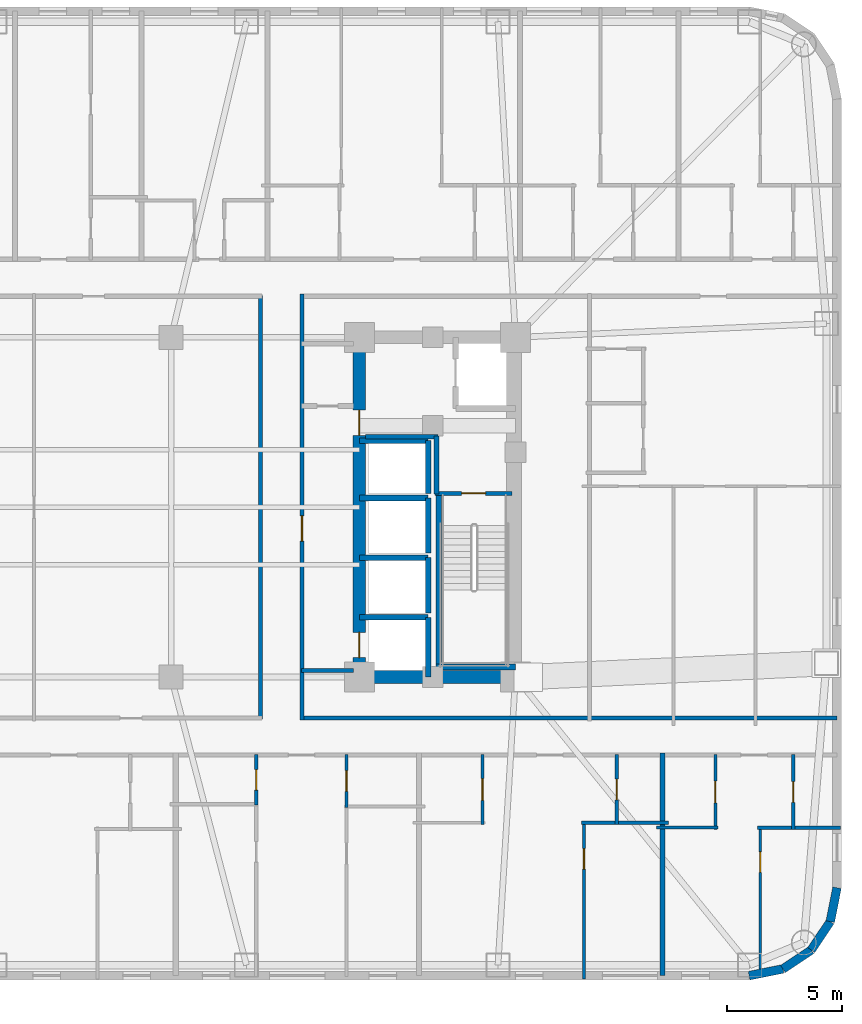
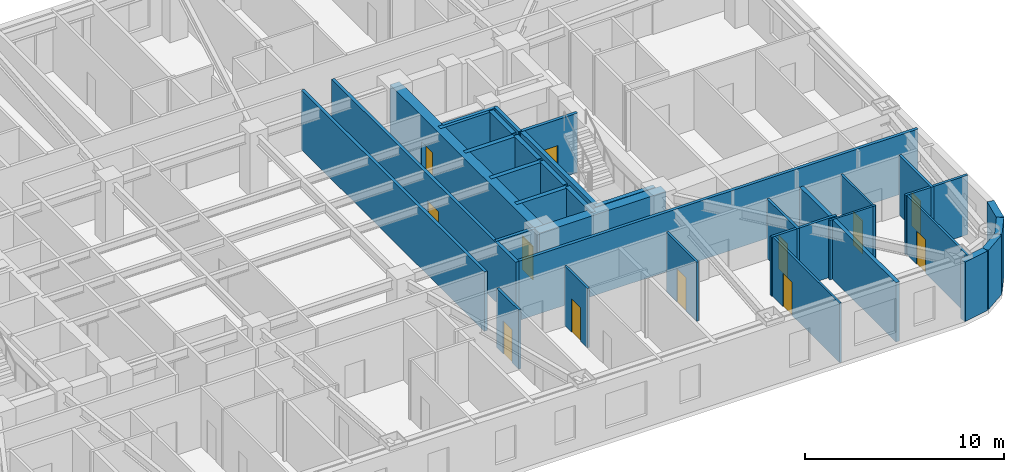
# One storey, part 6 of 12: 35 walls, 12 doors, 12 openings.
"""IFC4 building model written with IfcOpenShell, lengths in metres."""

from ifc_helpers import new_model, si_unit, direction, frame, frame_2d, origin, place, context, subcontext, project, spatial, rectangle, extrude, material, layer, layer_set, type_object, element, fill, save


model = new_model("IFC4")

# Units and contexts
model_context = context("Model", 3, precision=1e-05, world=origin(), true_north=direction((0.0, 1.0)))
body_context = subcontext(model_context, "Body", "Model", "MODEL_VIEW")
ifc_project = project(units=[si_unit("LENGTHUNIT", "METRE"), si_unit("AREAUNIT", "SQUARE_METRE"), si_unit("VOLUMEUNIT", "CUBIC_METRE"), si_unit("PLANEANGLEUNIT", "RADIAN"), si_unit("MASSUNIT", "GRAM", prefix="KILO")], contexts=[model_context])

# Site, building, storey
site_placement = place(None, origin())
site = spatial("IfcSite", under=ifc_project, at=site_placement, CompositionType="ELEMENT")
building_placement = place(site_placement, origin())
building = spatial("IfcBuilding", under=site, at=building_placement, Name="Voryun Gate Residences", CompositionType="ELEMENT")
storey_placement = place(building_placement, frame((0.0, 0.0, 132.60009765625)))
storey = spatial("IfcBuildingStorey", under=building, at=storey_placement, Name="L32", CompositionType="ELEMENT", Elevation=132.60009765625)

# Wall
ifc_material_1 = material(Name="Concrete C60/75", Category="concrete")
ifc_layer_1 = layer(ifc_material_1, 0.550048828125, Name="CW_CORE_550")
ifc_layer_set_1 = layer_set([ifc_layer_1], Name="Concrete C60/75")
wall_type_1 = type_object("IfcWallType", Name="CW_CORE_550", PredefinedType="SHEAR", material=ifc_layer_set_1)
wall_1_placement = place(storey_placement, frame((12.125, -7.39990234375, 0.0), z_axis=(0.0, 0.0, 1.0), x_axis=(1.0, 0.0, 0.0)))
element("IfcWall", 1, at=wall_1_placement, inside=storey, type_object=wall_type_1, Name="L32 Core shear wall CW-L32-ES", PredefinedType="SHEAR", context=body_context, shape_type="SweptSolid", body=[
    extrude(rectangle(XDim=7.35009765625, YDim=0.550048828125, at=frame_2d((3.675048828125, 0.0))), origin(), (0.0, 0.0, 1.0), 3.64990234375),
])

# Wall, openings, doors
wall_2_placement = place(storey_placement, frame((12.39990234375, -7.39990234375, 0.0), z_axis=(0.0, 0.0, 1.0), x_axis=(0.0, 1.0, 0.0)))
wall_2 = element("IfcWall", 2, at=wall_2_placement, inside=storey, type_object=wall_type_1, Name="L32 Core shear wall CW-L32-EW", PredefinedType="SHEAR", context=body_context, shape_type="SweptSolid", body=[
    extrude(rectangle(XDim=14.7998046875, YDim=0.550048828125, at=frame_2d((7.39990234375, 0.0))), origin(), (0.0, 0.0, 1.0), 3.64990234375),
])
opening_1_placement = place(wall_2_placement, frame((0.85009765625, 0.0, 0.0)))
opening_1 = element("IfcOpeningElement", 3, at=opening_1_placement, cuts=wall_2, Name="Opening LD2", PredefinedType="OPENING", context=body_context, shape_type="SweptSolid", body=[
    extrude(rectangle(XDim=1.10009765625, YDim=2.050048828125, at=frame_2d((0.550048828125, 1.02490234375))), frame((0.0, 0.284912109375, 0.0), z_axis=(0.0, -1.0, 0.0), x_axis=(1.0, 0.0, 0.0)), (0.0, 0.0, 1.0), 0.570068359375),
])
opening_2_placement = place(wall_2_placement, frame((10.530029296875, 0.0, 0.0)))
opening_2 = element("IfcOpeningElement", 4, at=opening_2_placement, cuts=wall_2, Name="Opening D-FD60-2", PredefinedType="OPENING", context=body_context, shape_type="SweptSolid", body=[
    extrude(rectangle(XDim=1.10009765625, YDim=2.050048828125, at=frame_2d((0.550048828125, 1.02490234375))), frame((0.0, 0.284912109375, 0.0), z_axis=(0.0, -1.0, 0.0), x_axis=(1.0, 0.0, 0.0)), (0.0, 0.0, 1.0), 0.570068359375),
])
ifc_material_2 = material(Name="Painted steel fire door", Category="steel")
door_type_1 = type_object("IfcDoorType", Name="DR_FD60_FFLOB_1100", OperationType="NOTDEFINED", PredefinedType="DOOR", material=ifc_material_2)
door_1_placement = place(opening_2_placement, origin())
door_1 = element("IfcDoor", 5, at=door_1_placement, inside=storey, type_object=door_type_1, Name="Door DR-L32-CLOB-E", OperationType="SINGLE_SWING_RIGHT", OverallHeight=2.050048828125, OverallWidth=1.10009765625, PredefinedType="DOOR", context=body_context, shape_type="SweptSolid", body=[
    extrude(rectangle(XDim=1.10009765625, YDim=2.050048828125, at=frame_2d((0.550048828125, 1.02490234375))), frame((0.0, 0.02490234375, 0.0), z_axis=(0.0, -1.0, 0.0), x_axis=(1.0, 0.0, 0.0)), (0.0, 0.0, 1.0), 0.050048828125),
])
fill(opening_2, door_1)
ifc_material_3 = material(Name="Anodised aluminium", Category="aluminium")
door_type_2 = type_object("IfcDoorType", Name="DR_LD_PASS_1100", OperationType="NOTDEFINED", PredefinedType="DOOR", material=ifc_material_3)
door_2_placement = place(opening_1_placement, origin())
door_2 = element("IfcDoor", 6, at=door_2_placement, inside=storey, type_object=door_type_2, Name="Lift EL-P3 sliding landing door L32", OperationType="SLIDING_TO_LEFT", OverallHeight=2.050048828125, OverallWidth=1.10009765625, PredefinedType="DOOR", context=body_context, shape_type="SweptSolid", body=[
    extrude(rectangle(XDim=1.10009765625, YDim=2.050048828125, at=frame_2d((0.550048828125, 1.02490234375))), frame((0.0, 0.02490234375, 0.0), z_axis=(0.0, -1.0, 0.0), x_axis=(1.0, 0.0, 0.0)), (0.0, 0.0, 1.0), 0.050048828125),
])
fill(opening_1, door_2)

# Wall, opening, door
ifc_material_4 = material(Name="Gypsum acoustic fireboard")
ifc_layer_2 = layer(ifc_material_4, 0.179931640625, Name="W_CORR_RATED_180")
ifc_layer_set_2 = layer_set([ifc_layer_2], Name="Gypsum acoustic fireboard")
wall_type_2 = type_object("IfcWallType", Name="W_CORR_RATED_180", PredefinedType="PARTITIONING", material=ifc_layer_set_2)
wall_3_placement = place(storey_placement, frame((15.699951171875, 0.60009765625, 0.0), z_axis=(0.0, 0.0, 1.0), x_axis=(1.0, 0.0, 0.0)))
wall_3 = element("IfcWall", 7, at=wall_3_placement, inside=storey, type_object=wall_type_2, Name="Partition wall WP-L32-STV-E", PredefinedType="PARTITIONING", context=body_context, shape_type="SweptSolid", body=[
    extrude(rectangle(XDim=3.360107421875, YDim=0.179931640625, at=frame_2d((1.68017578125, 0.0))), origin(), (0.0, 0.0, 1.0), 3.64990234375),
])
opening_3_placement = place(wall_3_placement, frame((1.155029296875, 0.0, 0.0)))
opening_3 = element("IfcOpeningElement", 8, at=opening_3_placement, cuts=wall_3, Name="Opening D-FD60-1", PredefinedType="OPENING", context=body_context, shape_type="SweptSolid", body=[
    extrude(rectangle(XDim=1.050048828125, YDim=2.050048828125, at=frame_2d((0.52490234375, 1.02490234375))), frame((0.0, 0.099853515625, 0.0), z_axis=(0.0, -1.0, 0.0), x_axis=(1.0, 0.0, 0.0)), (0.0, 0.0, 1.0), 0.199951171875),
])
ifc_material_5 = material(Name="Painted steel fire door", Category="steel")
door_type_3 = type_object("IfcDoorType", Name="DR_FD60_STAIR_1050", OperationType="NOTDEFINED", PredefinedType="DOOR", material=ifc_material_5)
door_3_placement = place(opening_3_placement, origin())
door_3 = element("IfcDoor", 9, at=door_3_placement, inside=storey, type_object=door_type_3, Name="Door DR-L32-ST-E", OperationType="SINGLE_SWING_RIGHT", OverallHeight=2.050048828125, OverallWidth=1.050048828125, PredefinedType="DOOR", context=body_context, shape_type="SweptSolid", body=[
    extrude(rectangle(XDim=1.050048828125, YDim=2.050048828125, at=frame_2d((0.52490234375, 1.02490234375))), frame((0.0, 0.02490234375, 0.0), z_axis=(0.0, -1.0, 0.0), x_axis=(1.0, 0.0, 0.0)), (0.0, 0.0, 1.0), 0.050048828125),
])
fill(opening_3, door_3)

# Wall
wall_4_placement = place(storey_placement, frame((9.8798828125, -7.1201171875, 0.0), z_axis=(0.0, 0.0, 1.0), x_axis=(1.0, 0.0, 0.0)))
element("IfcWall", 10, at=wall_4_placement, inside=storey, type_object=wall_type_2, Name="Partition wall WP-L32-PLBS-E", PredefinedType="PARTITIONING", context=body_context, shape_type="SweptSolid", body=[
    extrude(rectangle(XDim=2.27001953125, YDim=0.179931640625, at=frame_2d((1.135009765625, 0.0))), origin(), (0.0, 0.0, 1.0), 3.64990234375),
])

# Wall, opening, door
wall_5_placement = place(storey_placement, frame((9.89990234375, -9.280029296875, 0.0), z_axis=(0.0, 0.0, 1.0), x_axis=(0.0, 1.0, 0.0)))
wall_5 = element("IfcWall", 11, at=wall_5_placement, inside=storey, type_object=wall_type_2, Name="Partition wall WP-L32-PLBE-FULL", PredefinedType="PARTITIONING", context=body_context, shape_type="SweptSolid", body=[
    extrude(rectangle(XDim=18.56005859375, YDim=0.179931640625, at=frame_2d((9.280029296875, 0.0))), origin(), (0.0, 0.0, 1.0), 3.64990234375),
])
opening_4_placement = place(wall_5_placement, frame((7.802001953125, 0.0, 0.0)))
opening_4 = element("IfcOpeningElement", 12, at=opening_4_placement, cuts=wall_5, Name="Opening D-FD60-2", PredefinedType="OPENING", context=body_context, shape_type="SweptSolid", body=[
    extrude(rectangle(XDim=1.10009765625, YDim=2.050048828125, at=frame_2d((0.550048828125, 1.02490234375))), frame((0.0, 0.099853515625, 0.0), z_axis=(0.0, -1.0, 0.0), x_axis=(1.0, 0.0, 0.0)), (0.0, 0.0, 1.0), 0.199951171875),
])
door_4_placement = place(opening_4_placement, origin())
door_4 = element("IfcDoor", 13, at=door_4_placement, inside=storey, type_object=door_type_1, Name="Door DR-L32-PLBE-COR", OperationType="SINGLE_SWING_RIGHT", OverallHeight=2.050048828125, OverallWidth=1.10009765625, PredefinedType="DOOR", context=body_context, shape_type="SweptSolid", body=[
    extrude(rectangle(XDim=1.10009765625, YDim=2.050048828125, at=frame_2d((0.550048828125, 1.02490234375))), frame((0.0, 0.02490234375, 0.0), z_axis=(0.0, -1.0, 0.0), x_axis=(1.0, 0.0, 0.0)), (0.0, 0.0, 1.0), 0.050048828125),
])
fill(opening_4, door_4)

# Walls
wall_6_placement = place(storey_placement, frame((9.8798828125, -9.18994140625, 0.0), z_axis=(0.0, 0.0, 1.0), x_axis=(1.0, 0.0, 0.0)))
element("IfcWall", 14, at=wall_6_placement, inside=storey, type_object=wall_type_2, Name="Partition wall WP-L32-CWING-ES", PredefinedType="PARTITIONING", context=body_context, shape_type="SweptSolid", body=[
    extrude(rectangle(XDim=23.330078125, YDim=0.179931640625, at=frame_2d((11.6650390625, 0.0))), origin(), (0.0, 0.0, 1.0), 3.64990234375),
])
wall_7_placement = place(storey_placement, frame((8.10009765625, -9.22998046875, 0.0), z_axis=(0.0, 0.0, 1.0), x_axis=(0.0, 1.0, 0.0)))
element("IfcWall", 15, at=wall_7_placement, inside=storey, type_object=wall_type_2, Name="Partition wall WP-L32-Z1E", PredefinedType="PARTITIONING", context=body_context, shape_type="SweptSolid", body=[
    extrude(rectangle(XDim=18.4599609375, YDim=0.179931640625, at=frame_2d((9.22998046875, 0.0))), origin(), (0.0, 0.0, 1.0), 3.64990234375),
])
ifc_material_6 = material(Name="Granite masonry", Category="masonry")
ifc_layer_3 = layer(ifc_material_6, 0.3798828125, Name="W_EXT_GRANITE_380")
ifc_layer_set_3 = layer_set([ifc_layer_3], Name="Granite masonry")
wall_type_3 = type_object("IfcWallType", Name="W_EXT_GRANITE_380", PredefinedType="ELEMENTEDWALL", material=ifc_layer_set_3)
wall_8_placement = place(storey_placement, frame((33.2099609375, -16.581298828125, 0.0), z_axis=(0.0, 0.0, 1.0), x_axis=(-0.195086038585, -0.980786132421, 0.0)))
element("IfcWall", 16, at=wall_8_placement, inside=storey, type_object=wall_type_3, Name="Exterior wall WEXT-L32-17", PredefinedType="ELEMENTEDWALL", context=body_context, shape_type="SweptSolid", body=[
    extrude(rectangle(XDim=1.504150390625, YDim=0.3798828125, at=frame_2d((0.751953125, 0.0))), origin(), (0.0, 0.0, 1.0), 3.64990234375),
])
wall_9_placement = place(storey_placement, frame((32.91650390625, -18.056640625, 0.0), z_axis=(0.0, 0.0, 1.0), x_axis=(-0.555610286119, -0.831442848281, 0.0)))
element("IfcWall", 17, at=wall_9_placement, inside=storey, type_object=wall_type_3, Name="Exterior wall WEXT-L32-18", PredefinedType="ELEMENTEDWALL", context=body_context, shape_type="SweptSolid", body=[
    extrude(rectangle(XDim=1.485107421875, YDim=0.3798828125, at=frame_2d((0.74267578125, 0.0))), origin(), (0.0, 0.0, 1.0), 3.64990234375),
])
wall_10_placement = place(storey_placement, frame((32.09130859375, -19.29150390625, 0.0), z_axis=(0.0, 0.0, 1.0), x_axis=(-0.831468045563, -0.555572577804, 0.0)))
element("IfcWall", 18, at=wall_10_placement, inside=storey, type_object=wall_type_3, Name="Exterior wall WEXT-L32-19", PredefinedType="ELEMENTEDWALL", context=body_context, shape_type="SweptSolid", body=[
    extrude(rectangle(XDim=1.48486328125, YDim=0.3798828125, at=frame_2d((0.742431640625, 0.0))), origin(), (0.0, 0.0, 1.0), 3.64990234375),
])
wall_11_placement = place(storey_placement, frame((30.856689453125, -20.116455078125, 0.0), z_axis=(0.0, 0.0, 1.0), x_axis=(-0.980786132421, -0.195086038585, 0.0)))
element("IfcWall", 19, at=wall_11_placement, inside=storey, type_object=wall_type_3, Name="Exterior wall WEXT-L32-20", PredefinedType="ELEMENTEDWALL", context=body_context, shape_type="SweptSolid", body=[
    extrude(rectangle(XDim=1.504150390625, YDim=0.3798828125, at=frame_2d((0.751953125, 0.0))), origin(), (0.0, 0.0, 1.0), 3.64990234375),
])
ifc_material_7 = material(Name="Concrete C40/50", Category="concrete")
ifc_layer_4 = layer(ifc_material_7, 0.199951171875, Name="W_FF_LOBBY_200")
ifc_layer_set_4 = layer_set([ifc_layer_4], Name="Concrete C40/50")
wall_type_4 = type_object("IfcWallType", Name="W_FF_LOBBY_200", PredefinedType="PARTITIONING", material=ifc_layer_set_4)
wall_12_placement = place(storey_placement, frame((15.760009765625, 0.580078125, 0.0), z_axis=(0.0, 0.0, 1.0), x_axis=(0.0, 1.0, 0.0)))
element("IfcWall", 20, at=wall_12_placement, inside=storey, type_object=wall_type_4, Name="Partition wall WP-L32-FFP0-E", PredefinedType="PARTITIONING", context=body_context, shape_type="SweptSolid", body=[
    extrude(rectangle(XDim=2.52001953125, YDim=0.199951171875, at=frame_2d((1.260009765625, 0.0))), origin(), (0.0, 0.0, 1.0), 3.64990234375),
])
wall_13_placement = place(storey_placement, frame((12.659912109375, 3.06005859375, 0.0), z_axis=(0.0, 0.0, 1.0), x_axis=(1.0, 0.0, 0.0)))
element("IfcWall", 21, at=wall_13_placement, inside=storey, type_object=wall_type_4, Name="Partition wall WP-L32-FFPS-E", PredefinedType="PARTITIONING", context=body_context, shape_type="SweptSolid", body=[
    extrude(rectangle(XDim=3.16015625, YDim=0.199951171875, at=frame_2d((1.580078125, 0.0))), origin(), (0.0, 0.0, 1.0), 3.64990234375),
])
ifc_material_8 = material(Name="Concrete C40/50", Category="concrete")
ifc_layer_5 = layer(ifc_material_8, 0.219970703125, Name="W_PARTY_ACOUSTIC_220")
ifc_layer_set_5 = layer_set([ifc_layer_5], Name="Concrete C40/50")
wall_type_5 = type_object("IfcWallType", Name="W_PARTY_ACOUSTIC_220", PredefinedType="PARTITIONING", material=ifc_layer_set_5)
wall_14_placement = place(storey_placement, frame((25.60009765625, -20.409912109375, 0.0), z_axis=(0.0, 0.0, 1.0), x_axis=(0.0, 1.0, 0.0)))
element("IfcWall", 22, at=wall_14_placement, inside=storey, type_object=wall_type_5, Name="Partition wall WP-L32-SPTY-6", PredefinedType="PARTITIONING", context=body_context, shape_type="SweptSolid", body=[
    extrude(rectangle(XDim=9.68994140625, YDim=0.219970703125, at=frame_2d((4.844970703125, 0.0))), origin(), (0.0, 0.0, 1.0), 3.64990234375),
])
ifc_material_9 = material(Name="Concrete C50/60", Category="concrete")
ifc_layer_6 = layer(ifc_material_9, 0.25, Name="W_SHAFT_RC250")
ifc_layer_set_6 = layer_set([ifc_layer_6], Name="Concrete C50/60")
wall_type_6 = type_object("IfcWallType", Name="W_SHAFT_RC250", PredefinedType="SOLIDWALL", material=ifc_layer_set_6)
wall_15_placement = place(storey_placement, frame((15.860107421875, -7.0849609375, 0.0), z_axis=(0.0, 0.0, 1.0), x_axis=(0.0, 1.0, 0.0)))
element("IfcWall", 23, at=wall_15_placement, inside=storey, type_object=wall_type_6, Name="L32 Stair shaft structural wall E-STL", PredefinedType="SOLIDWALL", context=body_context, shape_type="SweptSolid", body=[
    extrude(rectangle(XDim=7.68505859375, YDim=0.25, at=frame_2d((3.842529296875, 0.0))), origin(), (0.0, 0.0, 1.0), 3.64990234375),
])
wall_16_placement = place(storey_placement, frame((15.739990234375, -6.965087890625, 0.0), z_axis=(0.0, 0.0, 1.0), x_axis=(1.0, 0.0, 0.0)))
element("IfcWall", 24, at=wall_16_placement, inside=storey, type_object=wall_type_6, Name="L32 Stair shaft structural wall E-STS", PredefinedType="SOLIDWALL", context=body_context, shape_type="SweptSolid", body=[
    extrude(rectangle(XDim=3.4599609375, YDim=0.25, at=frame_2d((1.72998046875, 0.0))), origin(), (0.0, 0.0, 1.0), 3.64990234375),
])
wall_17_placement = place(storey_placement, frame((15.39990234375, -7.39990234375, 0.0), z_axis=(0.0, 0.0, 1.0), x_axis=(0.0, 1.0, 0.0)))
element("IfcWall", 25, at=wall_17_placement, inside=storey, type_object=wall_type_6, Name="Lift shaft wall WSH-L32-EL-P3-E", PredefinedType="SOLIDWALL", context=body_context, shape_type="SweptSolid", body=[
    extrude(rectangle(XDim=2.599853515625, YDim=0.25, at=frame_2d((1.2998046875, 0.0))), origin(), (0.0, 0.0, 1.0), 3.64990234375),
])
wall_18_placement = place(storey_placement, frame((15.39990234375, -4.800048828125, 0.0), z_axis=(0.0, 0.0, 1.0), x_axis=(-1.0, 0.0, 0.0)))
element("IfcWall", 26, at=wall_18_placement, inside=storey, type_object=wall_type_6, Name="Lift shaft wall WSH-L32-EL-P3-N", PredefinedType="SOLIDWALL", context=body_context, shape_type="SweptSolid", body=[
    extrude(rectangle(XDim=3.0, YDim=0.25, at=frame_2d((1.5, 0.0))), origin(), (0.0, 0.0, 1.0), 3.64990234375),
])
wall_19_placement = place(storey_placement, frame((15.39990234375, -4.60009765625, 0.0), z_axis=(0.0, 0.0, 1.0), x_axis=(0.0, 1.0, 0.0)))
element("IfcWall", 27, at=wall_19_placement, inside=storey, type_object=wall_type_6, Name="Lift shaft wall WSH-L32-EL-P5-E", PredefinedType="SOLIDWALL", context=body_context, shape_type="SweptSolid", body=[
    extrude(rectangle(XDim=2.400146484375, YDim=0.25, at=frame_2d((1.2001953125, 0.0))), origin(), (0.0, 0.0, 1.0), 3.64990234375),
])
wall_20_placement = place(storey_placement, frame((15.39990234375, -2.199951171875, 0.0), z_axis=(0.0, 0.0, 1.0), x_axis=(-1.0, 0.0, 0.0)))
element("IfcWall", 28, at=wall_20_placement, inside=storey, type_object=wall_type_6, Name="Lift shaft wall WSH-L32-EL-P5-N", PredefinedType="SOLIDWALL", context=body_context, shape_type="SweptSolid", body=[
    extrude(rectangle(XDim=3.0, YDim=0.25, at=frame_2d((1.5, 0.0))), origin(), (0.0, 0.0, 1.0), 3.64990234375),
])
wall_21_placement = place(storey_placement, frame((15.39990234375, -2.0, 0.0), z_axis=(0.0, 0.0, 1.0), x_axis=(0.0, 1.0, 0.0)))
element("IfcWall", 29, at=wall_21_placement, inside=storey, type_object=wall_type_6, Name="Lift shaft wall WSH-L32-EL-P6-E", PredefinedType="SOLIDWALL", context=body_context, shape_type="SweptSolid", body=[
    extrude(rectangle(XDim=2.39990234375, YDim=0.25, at=frame_2d((1.199951171875, 0.0))), origin(), (0.0, 0.0, 1.0), 3.64990234375),
])
wall_22_placement = place(storey_placement, frame((15.39990234375, 0.39990234375, 0.0), z_axis=(0.0, 0.0, 1.0), x_axis=(-1.0, 0.0, 0.0)))
element("IfcWall", 30, at=wall_22_placement, inside=storey, type_object=wall_type_6, Name="Lift shaft wall WSH-L32-EL-P6-N", PredefinedType="SOLIDWALL", context=body_context, shape_type="SweptSolid", body=[
    extrude(rectangle(XDim=3.0, YDim=0.25, at=frame_2d((1.5, 0.0))), origin(), (0.0, 0.0, 1.0), 3.64990234375),
])
wall_23_placement = place(storey_placement, frame((15.39990234375, 0.60009765625, 0.0), z_axis=(0.0, 0.0, 1.0), x_axis=(0.0, 1.0, 0.0)))
element("IfcWall", 31, at=wall_23_placement, inside=storey, type_object=wall_type_6, Name="Lift shaft wall WSH-L32-EL-P8-E", PredefinedType="SOLIDWALL", context=body_context, shape_type="SweptSolid", body=[
    extrude(rectangle(XDim=2.2998046875, YDim=0.25, at=frame_2d((1.14990234375, 0.0))), origin(), (0.0, 0.0, 1.0), 3.64990234375),
])
wall_24_placement = place(storey_placement, frame((15.39990234375, 2.89990234375, 0.0), z_axis=(0.0, 0.0, 1.0), x_axis=(-1.0, 0.0, 0.0)))
element("IfcWall", 32, at=wall_24_placement, inside=storey, type_object=wall_type_6, Name="Lift shaft wall WSH-L32-EL-P8-N", PredefinedType="SOLIDWALL", context=body_context, shape_type="SweptSolid", body=[
    extrude(rectangle(XDim=3.0, YDim=0.25, at=frame_2d((1.5, 0.0))), origin(), (0.0, 0.0, 1.0), 3.64990234375),
])

# Wall, opening, door
ifc_material_10 = material(Name="Gypsum acoustic partition")
ifc_layer_7 = layer(ifc_material_10, 0.125, Name="W_UNIT_PART_125")
ifc_layer_set_7 = layer_set([ifc_layer_7], Name="Gypsum acoustic partition")
wall_type_7 = type_object("IfcWallType", Name="W_UNIT_PART_125", PredefinedType="PARTITIONING", material=ifc_layer_set_7)
wall_25_placement = place(storey_placement, frame((11.840087890625, -13.080078125, 0.0), z_axis=(0.0, 0.0, 1.0), x_axis=(0.0, 1.0, 0.0)))
wall_25 = element("IfcWall", 33, at=wall_25_placement, inside=storey, type_object=wall_type_7, Name="Partition wall WP-L32-S5-RVX2", PredefinedType="PARTITIONING", context=body_context, shape_type="SweptSolid", body=[
    extrude(rectangle(XDim=2.300048828125, YDim=0.125, at=frame_2d((1.14990234375, 0.0))), origin(), (0.0, 0.0, 1.0), 3.64990234375),
])
opening_5_placement = place(wall_25_placement, frame((0.699951171875, 0.0, 0.0)))
opening_5 = element("IfcOpeningElement", 34, at=opening_5_placement, cuts=wall_25, Name="Opening D-INT-2", PredefinedType="OPENING", context=body_context, shape_type="SweptSolid", body=[
    extrude(rectangle(XDim=0.89990234375, YDim=2.050048828125, at=frame_2d((0.449951171875, 1.02490234375))), frame((0.0, 0.072509765625, 0.0), z_axis=(0.0, -1.0, 0.0), x_axis=(1.0, 0.0, 0.0)), (0.0, 0.0, 1.0), 0.14501953125),
])
ifc_material_11 = material(Name="Architectural oak veneer")
door_type_4 = type_object("IfcDoorType", Name="DR_INT_BATH_900", OperationType="NOTDEFINED", PredefinedType="DOOR", material=ifc_material_11)
door_5_placement = place(opening_5_placement, origin())
door_5 = element("IfcDoor", 35, at=door_5_placement, inside=storey, type_object=door_type_4, Name="Door DR-L32-S5-DK", OperationType="SINGLE_SWING_LEFT", OverallHeight=2.050048828125, OverallWidth=0.89990234375, PredefinedType="DOOR", context=body_context, shape_type="SweptSolid", body=[
    extrude(rectangle(XDim=0.89990234375, YDim=2.050048828125, at=frame_2d((0.449951171875, 1.02490234375))), frame((0.0, 0.02490234375, 0.0), z_axis=(0.0, -1.0, 0.0), x_axis=(1.0, 0.0, 0.0)), (0.0, 0.0, 1.0), 0.050048828125),
])
fill(opening_5, door_5)

wall_26_placement = place(storey_placement, frame((22.18994140625, -20.56005859375, 0.0), z_axis=(0.0, 0.0, 1.0), x_axis=(0.0, 1.0, 0.0)))
wall_26 = element("IfcWall", 36, at=wall_26_placement, inside=storey, type_object=wall_type_7, Name="Partition wall WP-L32-S6-OVR", PredefinedType="PARTITIONING", context=body_context, shape_type="SweptSolid", body=[
    extrude(rectangle(XDim=6.89306640625, YDim=0.125, at=frame_2d((3.446533203125, 0.0))), origin(), (0.0, 0.0, 1.0), 3.64990234375),
])
opening_6_placement = place(wall_26_placement, frame((4.788818359375, 0.0, 0.0)))
opening_6 = element("IfcOpeningElement", 37, at=opening_6_placement, cuts=wall_26, Name="Opening D-INT-2", PredefinedType="OPENING", context=body_context, shape_type="SweptSolid", body=[
    extrude(rectangle(XDim=0.89990234375, YDim=2.050048828125, at=frame_2d((0.449951171875, 1.02490234375))), frame((0.0, 0.072509765625, 0.0), z_axis=(0.0, -1.0, 0.0), x_axis=(1.0, 0.0, 0.0)), (0.0, 0.0, 1.0), 0.14501953125),
])
door_6_placement = place(opening_6_placement, origin())
door_6 = element("IfcDoor", 38, at=door_6_placement, inside=storey, type_object=door_type_4, Name="Door DR-L32-S6-DMB", OperationType="SINGLE_SWING_RIGHT", OverallHeight=2.050048828125, OverallWidth=0.89990234375, PredefinedType="DOOR", context=body_context, shape_type="SweptSolid", body=[
    extrude(rectangle(XDim=0.89990234375, YDim=2.050048828125, at=frame_2d((0.449951171875, 1.02490234375))), frame((0.0, 0.02490234375, 0.0), z_axis=(0.0, -1.0, 0.0), x_axis=(1.0, 0.0, 0.0)), (0.0, 0.0, 1.0), 0.050048828125),
])
fill(opening_6, door_6)

wall_27_placement = place(storey_placement, frame((17.763916015625, -13.826904296875, 0.0), z_axis=(0.0, 0.0, 1.0), x_axis=(0.0, 1.0, 0.0)))
wall_27 = element("IfcWall", 39, at=wall_27_placement, inside=storey, type_object=wall_type_7, Name="Partition wall WP-L32-S6-IVK", PredefinedType="PARTITIONING", context=body_context, shape_type="SweptSolid", body=[
    extrude(rectangle(XDim=3.046875, YDim=0.125, at=frame_2d((1.5234375, 0.0))), origin(), (0.0, 0.0, 1.0), 3.64990234375),
])
opening_7_placement = place(wall_27_placement, frame((1.048583984375, 0.0, 0.0)))
opening_7 = element("IfcOpeningElement", 40, at=opening_7_placement, cuts=wall_27, Name="Opening D-INT-1", PredefinedType="OPENING", context=body_context, shape_type="SweptSolid", body=[
    extrude(rectangle(XDim=0.949951171875, YDim=2.050048828125, at=frame_2d((0.47509765625, 1.02490234375))), frame((0.0, 0.072509765625, 0.0), z_axis=(0.0, -1.0, 0.0), x_axis=(1.0, 0.0, 0.0)), (0.0, 0.0, 1.0), 0.14501953125),
])
ifc_material_12 = material(Name="Architectural oak veneer")
door_type_5 = type_object("IfcDoorType", Name="DR_INT_ROOM_950", OperationType="NOTDEFINED", PredefinedType="DOOR", material=ifc_material_12)
door_7_placement = place(opening_7_placement, origin())
door_7 = element("IfcDoor", 41, at=door_7_placement, inside=storey, type_object=door_type_5, Name="Door DR-L32-S6-DK", OperationType="SINGLE_SWING_LEFT", OverallHeight=2.050048828125, OverallWidth=0.949951171875, PredefinedType="DOOR", context=body_context, shape_type="SweptSolid", body=[
    extrude(rectangle(XDim=0.949951171875, YDim=2.050048828125, at=frame_2d((0.47509765625, 1.02490234375))), frame((0.0, 0.02490234375, 0.0), z_axis=(0.0, -1.0, 0.0), x_axis=(1.0, 0.0, 0.0)), (0.0, 0.0, 1.0), 0.050048828125),
])
fill(opening_7, door_7)

wall_28_placement = place(storey_placement, frame((29.867919921875, -20.466064453125, 0.0), z_axis=(0.0, 0.0, 1.0), x_axis=(0.0, 1.0, 0.0)))
wall_28 = element("IfcWall", 42, at=wall_28_placement, inside=storey, type_object=wall_type_7, Name="Partition wall WP-L32-S7-OVR", PredefinedType="PARTITIONING", context=body_context, shape_type="SweptSolid", body=[
    extrude(rectangle(XDim=6.5830078125, YDim=0.125, at=frame_2d((3.29150390625, 0.0))), origin(), (0.0, 0.0, 1.0), 3.64990234375),
])
opening_8_placement = place(wall_28_placement, frame((4.55322265625, 0.0, 0.0)))
opening_8 = element("IfcOpeningElement", 43, at=opening_8_placement, cuts=wall_28, Name="Opening D-INT-2", PredefinedType="OPENING", context=body_context, shape_type="SweptSolid", body=[
    extrude(rectangle(XDim=0.89990234375, YDim=2.050048828125, at=frame_2d((0.449951171875, 1.02490234375))), frame((0.0, 0.072509765625, 0.0), z_axis=(0.0, -1.0, 0.0), x_axis=(1.0, 0.0, 0.0)), (0.0, 0.0, 1.0), 0.14501953125),
])
door_8_placement = place(opening_8_placement, origin())
door_8 = element("IfcDoor", 44, at=door_8_placement, inside=storey, type_object=door_type_4, Name="Door DR-L32-S7-DMB", OperationType="SINGLE_SWING_RIGHT", OverallHeight=2.050048828125, OverallWidth=0.89990234375, PredefinedType="DOOR", context=body_context, shape_type="SweptSolid", body=[
    extrude(rectangle(XDim=0.89990234375, YDim=2.050048828125, at=frame_2d((0.449951171875, 1.02490234375))), frame((0.0, 0.02490234375, 0.0), z_axis=(0.0, -1.0, 0.0), x_axis=(1.0, 0.0, 0.0)), (0.0, 0.0, 1.0), 0.050048828125),
])
fill(opening_8, door_8)

wall_29_placement = place(storey_placement, frame((27.909912109375, -14.04296875, 0.0), z_axis=(0.0, 0.0, 1.0), x_axis=(0.0, 1.0, 0.0)))
wall_29 = element("IfcWall", 45, at=wall_29_placement, inside=storey, type_object=wall_type_7, Name="Partition wall WP-L32-S7-IVK", PredefinedType="PARTITIONING", context=body_context, shape_type="SweptSolid", body=[
    extrude(rectangle(XDim=3.262939453125, YDim=0.125, at=frame_2d((1.63134765625, 0.0))), origin(), (0.0, 0.0, 1.0), 3.64990234375),
])
opening_9_placement = place(wall_29_placement, frame((1.156494140625, 0.0, 0.0)))
opening_9 = element("IfcOpeningElement", 46, at=opening_9_placement, cuts=wall_29, Name="Opening D-INT-1", PredefinedType="OPENING", context=body_context, shape_type="SweptSolid", body=[
    extrude(rectangle(XDim=0.949951171875, YDim=2.050048828125, at=frame_2d((0.47509765625, 1.02490234375))), frame((0.0, 0.072509765625, 0.0), z_axis=(0.0, -1.0, 0.0), x_axis=(1.0, 0.0, 0.0)), (0.0, 0.0, 1.0), 0.14501953125),
])
door_9_placement = place(opening_9_placement, origin())
door_9 = element("IfcDoor", 47, at=door_9_placement, inside=storey, type_object=door_type_5, Name="Door DR-L32-S7-DK", OperationType="SINGLE_SWING_LEFT", OverallHeight=2.050048828125, OverallWidth=0.949951171875, PredefinedType="DOOR", context=body_context, shape_type="SweptSolid", body=[
    extrude(rectangle(XDim=0.949951171875, YDim=2.050048828125, at=frame_2d((0.47509765625, 1.02490234375))), frame((0.0, 0.02490234375, 0.0), z_axis=(0.0, -1.0, 0.0), x_axis=(1.0, 0.0, 0.0)), (0.0, 0.0, 1.0), 0.050048828125),
])
fill(opening_9, door_9)

# Wall
wall_30_placement = place(storey_placement, frame((25.340087890625, -13.962890625, 0.0), z_axis=(0.0, 0.0, 1.0), x_axis=(1.0, 0.0, 0.0)))
element("IfcWall", 48, at=wall_30_placement, inside=storey, type_object=wall_type_7, Name="Partition wall WP-L32-S7-HZK", PredefinedType="PARTITIONING", context=body_context, shape_type="SweptSolid", body=[
    extrude(rectangle(XDim=2.68994140625, YDim=0.125, at=frame_2d((1.344970703125, 0.0))), origin(), (0.0, 0.0, 1.0), 3.64990234375),
])

# Wall, opening, door
ifc_material_13 = material(Name="Gypsum moisture-resistant partition")
ifc_layer_8 = layer(ifc_material_13, 0.14990234375, Name="W_WET_PLUMB_150")
ifc_layer_set_8 = layer_set([ifc_layer_8], Name="Gypsum moisture-resistant partition")
wall_type_8 = type_object("IfcWallType", Name="W_WET_PLUMB_150", PredefinedType="PLUMBINGWALL", material=ifc_layer_set_8)
wall_31_placement = place(storey_placement, frame((7.909912109375, -12.97998046875, 0.0), z_axis=(0.0, 0.0, 1.0), x_axis=(0.0, 1.0, 0.0)))
wall_31 = element("IfcWall", 49, at=wall_31_placement, inside=storey, type_object=wall_type_8, Name="Partition wall WP-L32-S5-LVX2", PredefinedType="PLUMBINGWALL", context=body_context, shape_type="SweptSolid", body=[
    extrude(rectangle(XDim=2.199951171875, YDim=0.14990234375, at=frame_2d((1.10009765625, 0.0))), origin(), (0.0, 0.0, 1.0), 3.64990234375),
])
opening_10_placement = place(wall_31_placement, frame((0.64990234375, 0.0, 0.0)))
opening_10 = element("IfcOpeningElement", 50, at=opening_10_placement, cuts=wall_31, Name="Opening D-INT-2", PredefinedType="OPENING", context=body_context, shape_type="SweptSolid", body=[
    extrude(rectangle(XDim=0.89990234375, YDim=2.050048828125, at=frame_2d((0.449951171875, 1.02490234375))), frame((0.0, 0.0849609375, 0.0), z_axis=(0.0, -1.0, 0.0), x_axis=(1.0, 0.0, 0.0)), (0.0, 0.0, 1.0), 0.169921875),
])
door_10_placement = place(opening_10_placement, origin())
door_10 = element("IfcDoor", 51, at=door_10_placement, inside=storey, type_object=door_type_4, Name="Door DR-L32-S5-DB", OperationType="SINGLE_SWING_RIGHT", OverallHeight=2.050048828125, OverallWidth=0.89990234375, PredefinedType="DOOR", context=body_context, shape_type="SweptSolid", body=[
    extrude(rectangle(XDim=0.89990234375, YDim=2.050048828125, at=frame_2d((0.449951171875, 1.02490234375))), frame((0.0, 0.02490234375, 0.0), z_axis=(0.0, -1.0, 0.0), x_axis=(1.0, 0.0, 0.0)), (0.0, 0.0, 1.0), 0.050048828125),
])
fill(opening_10, door_10)

# Wall
wall_32_placement = place(storey_placement, frame((22.070068359375, -13.7470703125, 0.0), z_axis=(0.0, 0.0, 1.0), x_axis=(1.0, 0.0, 0.0)))
element("IfcWall", 52, at=wall_32_placement, inside=storey, type_object=wall_type_8, Name="Partition wall WP-L32-S6-HZB", PredefinedType="PLUMBINGWALL", context=body_context, shape_type="SweptSolid", body=[
    extrude(rectangle(XDim=3.7900390625, YDim=0.14990234375, at=frame_2d((1.89501953125, 0.0))), origin(), (0.0, 0.0, 1.0), 3.64990234375),
])

# Wall, opening, door
wall_33_placement = place(storey_placement, frame((23.6201171875, -13.826904296875, 0.0), z_axis=(0.0, 0.0, 1.0), x_axis=(0.0, 1.0, 0.0)))
wall_33 = element("IfcWall", 53, at=wall_33_placement, inside=storey, type_object=wall_type_8, Name="Partition wall WP-L32-S6-IVB", PredefinedType="PLUMBINGWALL", context=body_context, shape_type="SweptSolid", body=[
    extrude(rectangle(XDim=3.046875, YDim=0.14990234375, at=frame_2d((1.5234375, 0.0))), origin(), (0.0, 0.0, 1.0), 3.64990234375),
])
opening_11_placement = place(wall_33_placement, frame((1.073486328125, 0.0, 0.0)))
opening_11 = element("IfcOpeningElement", 54, at=opening_11_placement, cuts=wall_33, Name="Opening D-INT-2", PredefinedType="OPENING", context=body_context, shape_type="SweptSolid", body=[
    extrude(rectangle(XDim=0.89990234375, YDim=2.050048828125, at=frame_2d((0.449951171875, 1.02490234375))), frame((0.0, 0.0849609375, 0.0), z_axis=(0.0, -1.0, 0.0), x_axis=(1.0, 0.0, 0.0)), (0.0, 0.0, 1.0), 0.169921875),
])
door_11_placement = place(opening_11_placement, origin())
door_11 = element("IfcDoor", 55, at=door_11_placement, inside=storey, type_object=door_type_4, Name="Door DR-L32-S6-DB", OperationType="SINGLE_SWING_RIGHT", OverallHeight=2.050048828125, OverallWidth=0.89990234375, PredefinedType="DOOR", context=body_context, shape_type="SweptSolid", body=[
    extrude(rectangle(XDim=0.89990234375, YDim=2.050048828125, at=frame_2d((0.449951171875, 1.02490234375))), frame((0.0, 0.02490234375, 0.0), z_axis=(0.0, -1.0, 0.0), x_axis=(1.0, 0.0, 0.0)), (0.0, 0.0, 1.0), 0.050048828125),
])
fill(opening_11, door_11)

# Wall
wall_34_placement = place(storey_placement, frame((29.748046875, -13.962890625, 0.0), z_axis=(0.0, 0.0, 1.0), x_axis=(1.0, 0.0, 0.0)))
element("IfcWall", 56, at=wall_34_placement, inside=storey, type_object=wall_type_8, Name="Partition wall WP-L32-S7-HZB", PredefinedType="PLUMBINGWALL", context=body_context, shape_type="SweptSolid", body=[
    extrude(rectangle(XDim=3.612060546875, YDim=0.14990234375, at=frame_2d((1.80615234375, 0.0))), origin(), (0.0, 0.0, 1.0), 3.64990234375),
])

# Wall, opening, door
wall_35_placement = place(storey_placement, frame((31.298095703125, -14.04296875, 0.0), z_axis=(0.0, 0.0, 1.0), x_axis=(0.0, 1.0, 0.0)))
wall_35 = element("IfcWall", 57, at=wall_35_placement, inside=storey, type_object=wall_type_8, Name="Partition wall WP-L32-S7-IVB", PredefinedType="PLUMBINGWALL", context=body_context, shape_type="SweptSolid", body=[
    extrude(rectangle(XDim=3.262939453125, YDim=0.14990234375, at=frame_2d((1.63134765625, 0.0))), origin(), (0.0, 0.0, 1.0), 3.64990234375),
])
opening_12_placement = place(wall_35_placement, frame((1.181396484375, 0.0, 0.0)))
opening_12 = element("IfcOpeningElement", 58, at=opening_12_placement, cuts=wall_35, Name="Opening D-INT-2", PredefinedType="OPENING", context=body_context, shape_type="SweptSolid", body=[
    extrude(rectangle(XDim=0.89990234375, YDim=2.050048828125, at=frame_2d((0.449951171875, 1.02490234375))), frame((0.0, 0.0849609375, 0.0), z_axis=(0.0, -1.0, 0.0), x_axis=(1.0, 0.0, 0.0)), (0.0, 0.0, 1.0), 0.169921875),
])
door_12_placement = place(opening_12_placement, origin())
door_12 = element("IfcDoor", 59, at=door_12_placement, inside=storey, type_object=door_type_4, Name="Door DR-L32-S7-DB", OperationType="SINGLE_SWING_RIGHT", OverallHeight=2.050048828125, OverallWidth=0.89990234375, PredefinedType="DOOR", context=body_context, shape_type="SweptSolid", body=[
    extrude(rectangle(XDim=0.89990234375, YDim=2.050048828125, at=frame_2d((0.449951171875, 1.02490234375))), frame((0.0, 0.02490234375, 0.0), z_axis=(0.0, -1.0, 0.0), x_axis=(1.0, 0.0, 0.0)), (0.0, 0.0, 1.0), 0.050048828125),
])
fill(opening_12, door_12)

save(model, "model.ifc")
